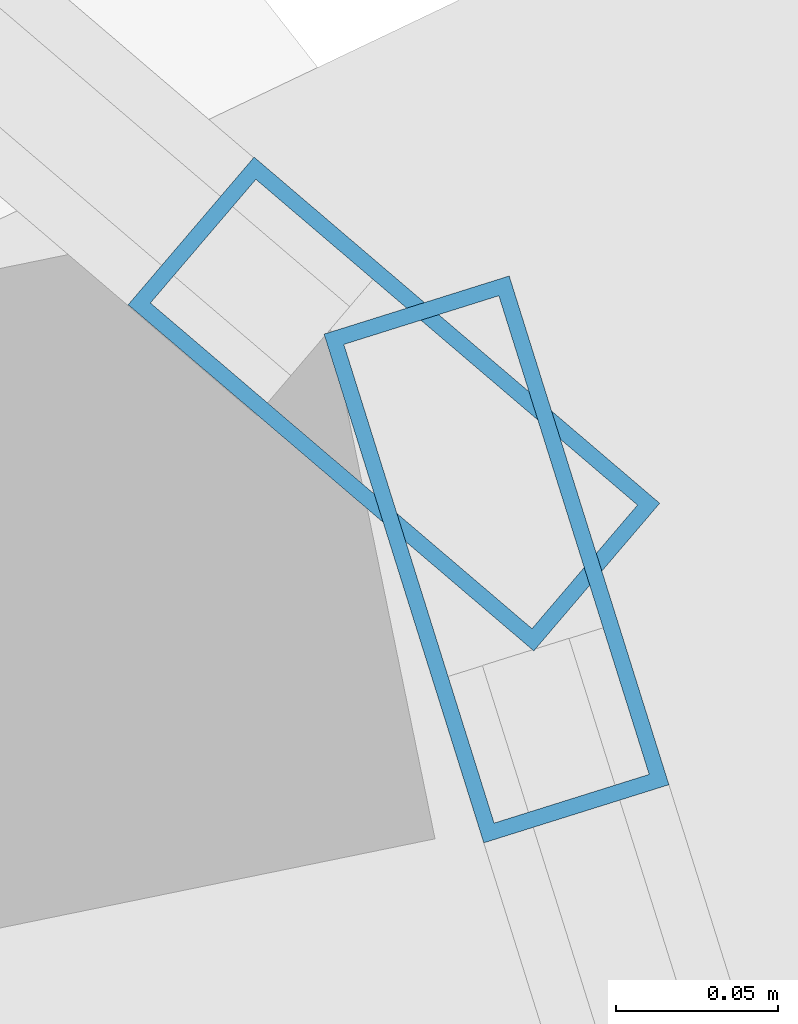
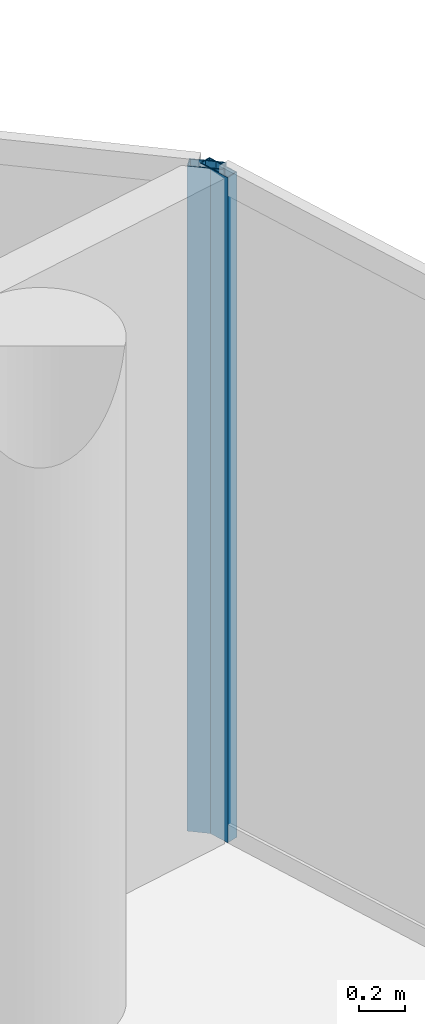
# One storey, part 15 of 25: 2 members, 2 elements without a shape of their own.
"""IFC4 building model written with IfcOpenShell, lengths in metres."""

from ifc_helpers import new_model, si_unit, direction, frame, origin, origin_2d, place, context, subcontext, project, spatial, hollow_rectangle, extrude, material, layer, layer_set, material_profile, profile_set, type_object, element, aggregate, save


model = new_model("IFC4")

# Units and contexts
model_context = context("Model", 3, precision=1e-05, world=origin(), true_north=direction((0.0, 1.0)))
body_context = subcontext(model_context, "Body", "Model", "MODEL_VIEW")
ifc_project = project(units=[si_unit("LENGTHUNIT", "METRE"), si_unit("AREAUNIT", "SQUARE_METRE"), si_unit("VOLUMEUNIT", "CUBIC_METRE"), si_unit("PLANEANGLEUNIT", "RADIAN"), si_unit("MASSUNIT", "GRAM", prefix="KILO")], contexts=[model_context])

# Site, building, storey
site_placement = place(None, origin())
site = spatial("IfcSite", under=ifc_project, at=site_placement, CompositionType="ELEMENT")
building_placement = place(site_placement, origin())
building = spatial("IfcBuilding", under=site, at=building_placement, Name="Nuhasar Tower", CompositionType="ELEMENT")
storey_placement = place(building_placement, frame((0.0, 0.0, 255.60009765625)))
storey = spatial("IfcBuildingStorey", under=building, at=storey_placement, Name="L63", CompositionType="ELEMENT", Elevation=255.60009765625)

# Curtain wall, member
ifc_material = material(Name="Aluminium 6063-T6", Category="aluminium")
ifc_layer = layer(ifc_material, 0.18994140625)
ifc_layer_set = layer_set([ifc_layer], Name="Aluminium 6063-T6")
curtain_wall_type = type_object("IfcCurtainWallType", Name="CW-Z4-PEN", PredefinedType="NOTDEFINED", material=ifc_layer_set)
curtain_wall_1_placement = place(storey_placement, origin())
curtain_wall_1 = element("IfcCurtainWall", 1, at=curtain_wall_1_placement, inside=storey, type_object=curtain_wall_type, Name="L63 Unitised Curtain Wall 01", PredefinedType="NOTDEFINED")
ifc_material_profile = material_profile(ifc_material, hollow_rectangle(XDim=0.06005859375, YDim=0.1650390625, WallThickness=0.0048828125, at=origin_2d()), Name="CWM-5")
ifc_profile_set = profile_set([ifc_material_profile], Name="Aluminium 6063-T6")
member_type = type_object("IfcMemberType", Name="CW-MUL-S5", PredefinedType="MULLION", material=ifc_profile_set)
member_1_placement = place(storey_placement, frame((56.72802734375, 35.50146484375, 0.0), z_axis=(0.0, 0.0, 1.0), x_axis=(-0.954078526601, -0.299556614146, 0.0)))
member_1 = element("IfcMember", 2, at=member_1_placement, type_object=member_type, Name="CW-Z4 mullion 2", PredefinedType="MULLION", context=body_context, shape_type="SweptSolid", body=[
    extrude(hollow_rectangle(XDim=0.06005859375, YDim=0.1650390625, WallThickness=0.0048828125, at=origin_2d()), origin(), (0.0, 0.0, 1.0), 3.539794921875),
])
aggregate(curtain_wall_1, [member_1])

curtain_wall_2_placement = place(storey_placement, origin())
curtain_wall_2 = element("IfcCurtainWall", 3, at=curtain_wall_2_placement, inside=storey, type_object=curtain_wall_type, Name="L63 Unitised Curtain Wall 02", PredefinedType="NOTDEFINED")
member_2_placement = place(storey_placement, frame((56.6962890625, 35.549560546875, 0.0), z_axis=(0.0, 0.0, 1.0), x_axis=(-0.649141996205, -0.760667252327, 0.0)))
member_2 = element("IfcMember", 4, at=member_2_placement, type_object=member_type, Name="CW-Z4 mullion 1", PredefinedType="MULLION", context=body_context, shape_type="SweptSolid", body=[
    extrude(hollow_rectangle(XDim=0.06005859375, YDim=0.1650390625, WallThickness=0.0048828125, at=origin_2d()), origin(), (0.0, 0.0, 1.0), 3.539794921875),
])
aggregate(curtain_wall_2, [member_2])

save(model, "model.ifc")
